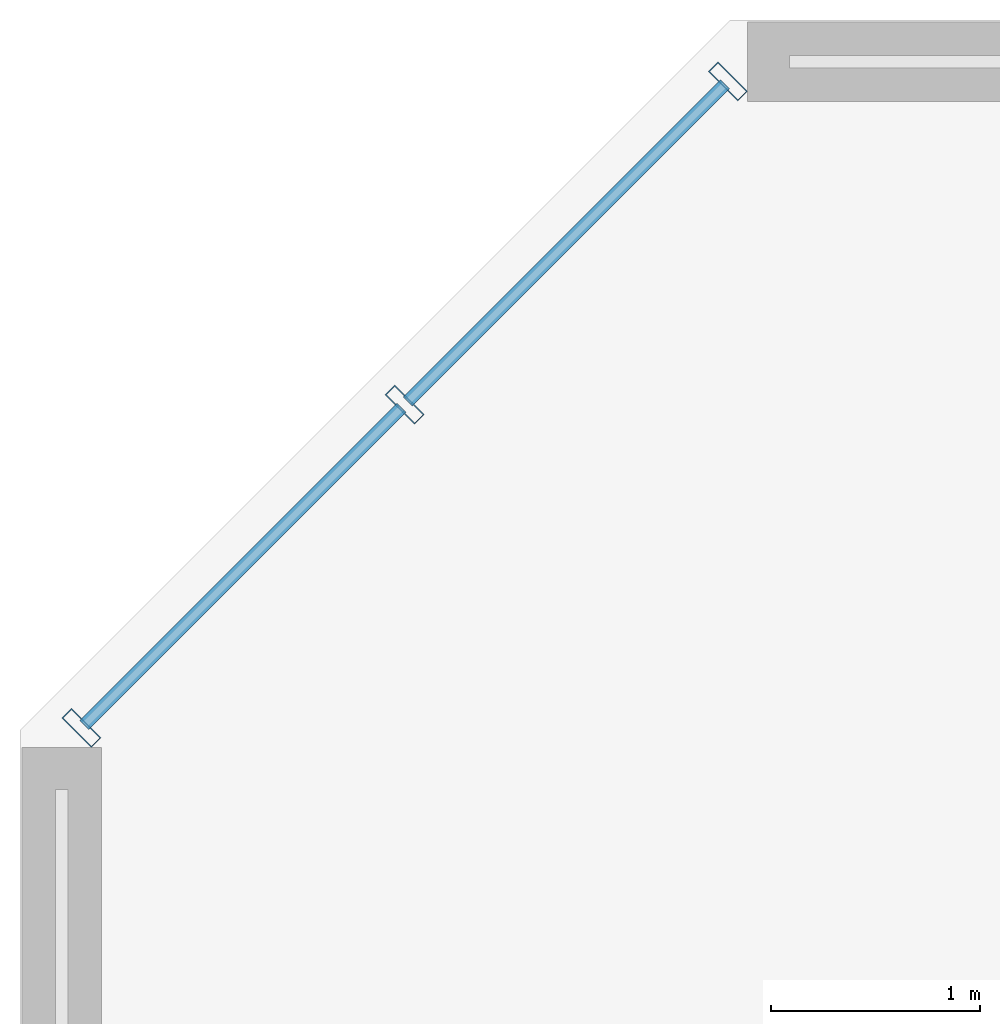
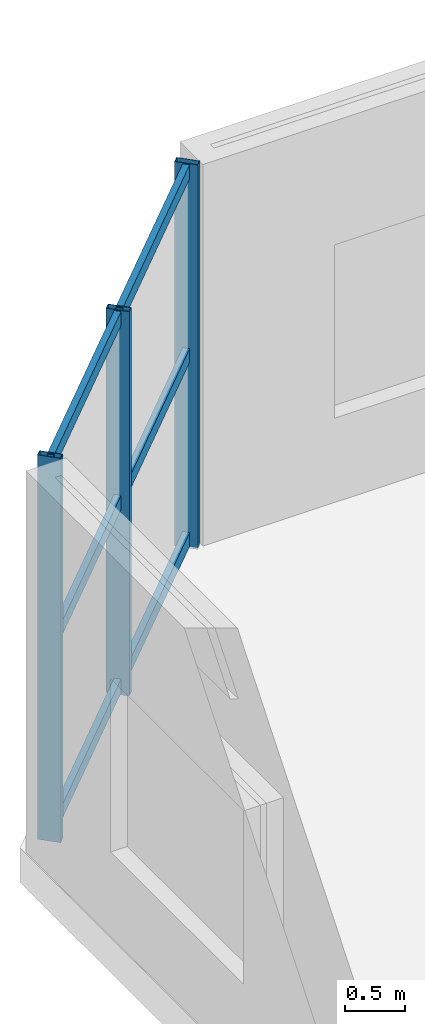
# One storey, part 4 of 22: 9 members, 1 element without a shape of its own.
"""IFC4 building model written with IfcOpenShell, lengths in metres."""

from ifc_helpers import new_model, si_unit, direction, frame, origin, origin_2d, place, context, subcontext, project, spatial, hollow_rectangle, extrude, source, transform, mapped, material, material_profile, profile_set, type_object, element, aggregate, save


model = new_model("IFC4")

# Units and contexts
model_context = context("Model", 3, precision=1e-05, world=origin(), true_north=direction((0.0, 1.0)))
body_context = subcontext(model_context, "Body", "Model", "MODEL_VIEW")
ifc_project = project(units=[si_unit("LENGTHUNIT", "METRE"), si_unit("AREAUNIT", "SQUARE_METRE"), si_unit("VOLUMEUNIT", "CUBIC_METRE"), si_unit("PLANEANGLEUNIT", "RADIAN"), si_unit("MASSUNIT", "GRAM", prefix="KILO")], contexts=[model_context])

# Site, building, storey
site_placement = place(None, origin())
site = spatial("IfcSite", under=ifc_project, at=site_placement, CompositionType="ELEMENT")
building_placement = place(site_placement, origin())
building = spatial("IfcBuilding", under=site, at=building_placement, Name="Tlacorven Tower", CompositionType="ELEMENT")
storey_placement = place(building_placement, frame((0.0, 0.0, 10.199951171875)))
storey = spatial("IfcBuildingStorey", under=building, at=storey_placement, Name="L02", CompositionType="ELEMENT", Elevation=10.199951171875)

# Curtain wall, members
ifc_material_1 = material(Name="Dark solar low-E double glazing in aluminium frame", Category="aluminium")
curtain_wall_type = type_object("IfcCurtainWallType", Name="CW-POD-CLINIC", PredefinedType="USERDEFINED", material=ifc_material_1)
curtain_wall_placement = place(storey_placement, origin())
curtain_wall = element("IfcCurtainWall", 1, at=curtain_wall_placement, inside=storey, type_object=curtain_wall_type, Name="L02 Podium Chamfer Curtain Wall 3", ObjectType="UNITISED CURTAIN WALL", PredefinedType="USERDEFINED")
ifc_material_2 = material(Name="Aluminium 6063-T6 anodised", Category="aluminium")
ifc_material_profile_1 = material_profile(ifc_material_2, hollow_rectangle(XDim=0.06494140625, YDim=0.199951171875, WallThickness=0.00439453125, at=origin_2d()), Name="ALU MULLION 65X200")
ifc_profile_set_1 = profile_set([ifc_material_profile_1], Name="Aluminium 6063-T6 anodised")
member_type_1 = type_object("IfcMemberType", Name="CWM-02", PredefinedType="MULLION", material=ifc_profile_set_1)
shared_shape_1 = source(origin(), body_context, "Body", "SweptSolid", [
    extrude(hollow_rectangle(XDim=0.06494140625, YDim=0.199951171875, WallThickness=0.00439453125, at=origin_2d()), origin(), (0.0, 0.0, 1.0), 3.880126953125),
])
member_1_placement = place(storey_placement, frame((1.693603515625, 43.2109375, -0.02001953125), z_axis=(0.0, 0.0, 1.0), x_axis=(0.707106781187, 0.707106781187, 0.0)))
member_1 = element("IfcMember", 2, at=member_1_placement, type_object=member_type_1, Name="CW-L02-010 Mullion 1", PredefinedType="MULLION", context=body_context, shape_type="MappedRepresentation", body=[
    mapped(shared_shape_1, transform((0.0, 0.0, 0.0), scale=1.0)),
])
member_2_placement = place(storey_placement, frame((3.241455078125, 44.758544921875, -0.02001953125), z_axis=(0.0, 0.0, 1.0), x_axis=(0.707106781187, 0.707106781187, 0.0)))
member_2 = element("IfcMember", 3, at=member_2_placement, type_object=member_type_1, Name="CW-L02-010 Mullion 2", PredefinedType="MULLION", context=body_context, shape_type="MappedRepresentation", body=[
    mapped(shared_shape_1, transform((0.0, 0.0, 0.0), scale=1.0)),
])
member_3_placement = place(storey_placement, frame((4.7890625, 46.306396484375, -0.02001953125), z_axis=(0.0, 0.0, 1.0), x_axis=(0.707106781187, 0.707106781187, 0.0)))
member_3 = element("IfcMember", 4, at=member_3_placement, type_object=member_type_1, Name="CW-L02-010 Mullion 3", PredefinedType="MULLION", context=body_context, shape_type="MappedRepresentation", body=[
    mapped(shared_shape_1, transform((0.0, 0.0, 0.0), scale=1.0)),
])
ifc_material_profile_2 = material_profile(ifc_material_2, hollow_rectangle(XDim=0.06005859375, YDim=0.139892578125, WallThickness=0.00390625, at=origin_2d()), Name="ALU TRANSOM 60X140")
ifc_profile_set_2 = profile_set([ifc_material_profile_2], Name="Aluminium 6063-T6 anodised")
member_type_2 = type_object("IfcMemberType", Name="CWT-02", PredefinedType="USERDEFINED", material=ifc_profile_set_2)
shared_shape_2 = source(origin(), body_context, "Body", "SweptSolid", [
    extrude(hollow_rectangle(XDim=0.06005859375, YDim=0.139892578125, WallThickness=0.00390625, at=origin_2d()), origin(), (0.0, 0.0, 1.0), 2.14794921875),
])
member_4_placement = place(storey_placement, frame((1.708251953125, 43.225341796875, 0.070068359375), z_axis=(0.707106781187, 0.707106781187, 0.0), x_axis=(-0.707106781187, 0.707106781187, 0.0)))
member_4 = element("IfcMember", 5, at=member_4_placement, type_object=member_type_2, Name="CW-L02-010 Transom 1", ObjectType="TRANSOM", PredefinedType="USERDEFINED", context=body_context, shape_type="MappedRepresentation", body=[
    mapped(shared_shape_2, transform((0.0, 0.0, 0.0), scale=1.0)),
])
member_5_placement = place(storey_placement, frame((1.708251953125, 43.225341796875, 1.925048828125), z_axis=(0.707106781187, 0.707106781187, 0.0), x_axis=(-0.707106781187, 0.707106781187, 0.0)))
member_5 = element("IfcMember", 6, at=member_5_placement, type_object=member_type_2, Name="CW-L02-010 Transom 2", ObjectType="TRANSOM", PredefinedType="USERDEFINED", context=body_context, shape_type="MappedRepresentation", body=[
    mapped(shared_shape_2, transform((0.0, 0.0, 0.0), scale=1.0)),
])
member_6_placement = place(storey_placement, frame((1.708251953125, 43.225341796875, 3.780029296875), z_axis=(0.707106781187, 0.707106781187, 0.0), x_axis=(-0.707106781187, 0.707106781187, 0.0)))
member_6 = element("IfcMember", 7, at=member_6_placement, type_object=member_type_2, Name="CW-L02-010 Transom 3", ObjectType="TRANSOM", PredefinedType="USERDEFINED", context=body_context, shape_type="MappedRepresentation", body=[
    mapped(shared_shape_2, transform((0.0, 0.0, 0.0), scale=1.0)),
])
member_7_placement = place(storey_placement, frame((3.255859375, 44.77294921875, 0.070068359375), z_axis=(0.707106781187, 0.707106781187, 0.0), x_axis=(-0.707106781187, 0.707106781187, 0.0)))
member_7 = element("IfcMember", 8, at=member_7_placement, type_object=member_type_2, Name="CW-L02-010 Transom 4", ObjectType="TRANSOM", PredefinedType="USERDEFINED", context=body_context, shape_type="MappedRepresentation", body=[
    mapped(shared_shape_2, transform((0.0, 0.0, 0.0), scale=1.0)),
])
member_8_placement = place(storey_placement, frame((3.255859375, 44.77294921875, 1.925048828125), z_axis=(0.707106781187, 0.707106781187, 0.0), x_axis=(-0.707106781187, 0.707106781187, 0.0)))
member_8 = element("IfcMember", 9, at=member_8_placement, type_object=member_type_2, Name="CW-L02-010 Transom 5", ObjectType="TRANSOM", PredefinedType="USERDEFINED", context=body_context, shape_type="MappedRepresentation", body=[
    mapped(shared_shape_2, transform((0.0, 0.0, 0.0), scale=1.0)),
])
member_9_placement = place(storey_placement, frame((3.255859375, 44.77294921875, 3.780029296875), z_axis=(0.707106781187, 0.707106781187, 0.0), x_axis=(-0.707106781187, 0.707106781187, 0.0)))
member_9 = element("IfcMember", 10, at=member_9_placement, type_object=member_type_2, Name="CW-L02-010 Transom 6", ObjectType="TRANSOM", PredefinedType="USERDEFINED", context=body_context, shape_type="MappedRepresentation", body=[
    mapped(shared_shape_2, transform((0.0, 0.0, 0.0), scale=1.0)),
])
aggregate(curtain_wall, [member_1, member_2, member_3, member_4, member_5, member_6, member_7, member_8, member_9])

save(model, "model.ifc")
